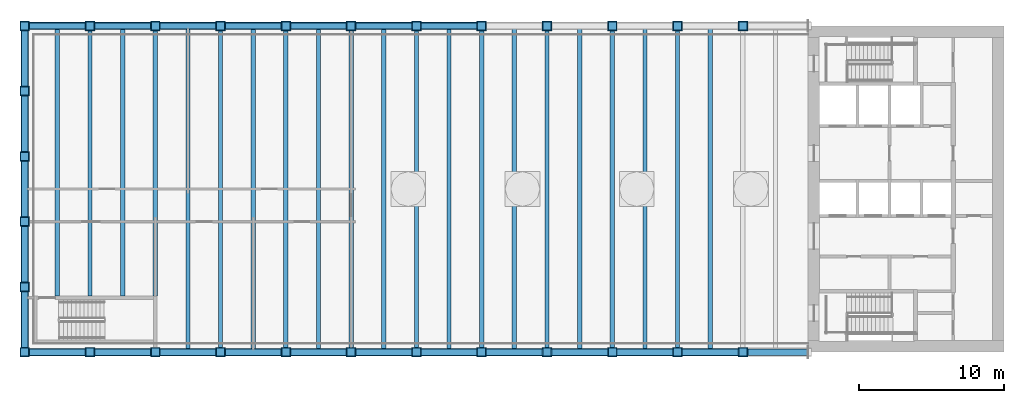
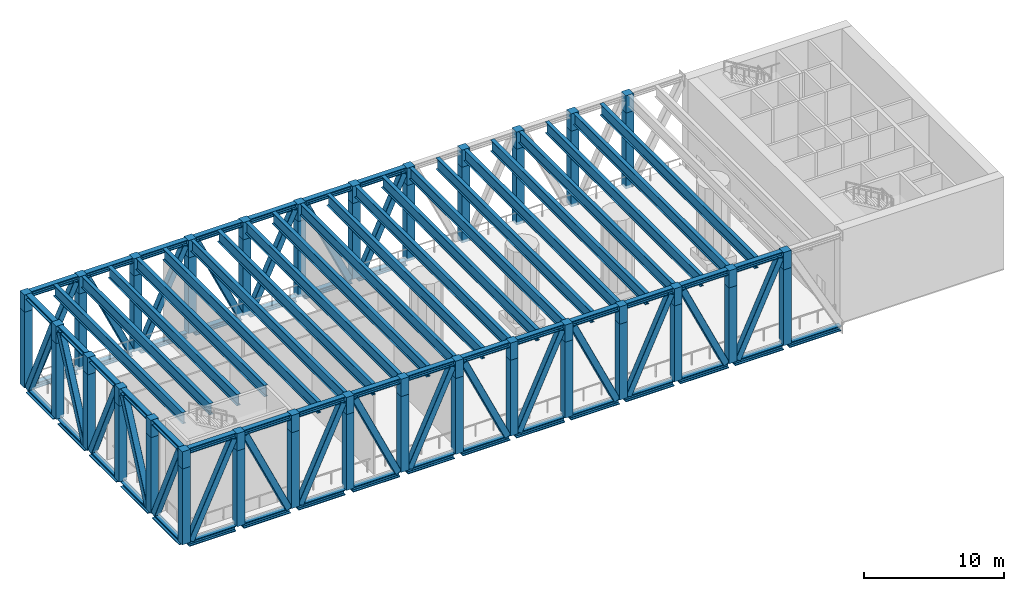
# One storey, part 1 of 11: 70 members, 56 columns, 21 beams.
"""IFC4 building model written with IfcOpenShell, lengths in metres."""

from ifc_helpers import new_model, si_unit, direction, frame, origin, origin_2d, place, context, subcontext, project, spatial, rectangle, hollow_rectangle, i_section, extrude, material, material_profile, profile_set, type_object, element, save


model = new_model("IFC4")

# Units and contexts
model_context = context("Model", 3, precision=1e-05, world=origin(), true_north=direction((0.0, 1.0)))
body_context = subcontext(model_context, "Body", "Model", "MODEL_VIEW")
ifc_project = project(units=[si_unit("LENGTHUNIT", "METRE"), si_unit("AREAUNIT", "SQUARE_METRE"), si_unit("VOLUMEUNIT", "CUBIC_METRE"), si_unit("PLANEANGLEUNIT", "RADIAN"), si_unit("MASSUNIT", "GRAM", prefix="KILO")], contexts=[model_context])

# Site, building, storey
site_placement = place(None, origin())
site = spatial("IfcSite", under=ifc_project, at=site_placement, CompositionType="ELEMENT")
building_placement = place(site_placement, origin())
building = spatial("IfcBuilding", under=site, at=building_placement, Name="Sennacour Bend Tower", CompositionType="ELEMENT")
storey_placement = place(building_placement, frame((0.0, 0.0, 297.0)))
storey = spatial("IfcBuildingStorey", under=building, at=storey_placement, Name="L69", CompositionType="ELEMENT", Elevation=297.0)

# Columns
ifc_material_1 = material(Name="Steel ASTM A572 Grade 50", Category="steel")
ifc_material_profile_1 = material_profile(ifc_material_1, hollow_rectangle(XDim=0.64990234375, YDim=0.64990234375, WallThickness=0.031982421875, at=origin_2d()), Name="Steel ASTM A572 Grade 50", Category="steel")
ifc_profile_set_1 = profile_set([ifc_material_profile_1], Name="Steel ASTM A572 Grade 50")
column_type_1 = type_object("IfcColumnType", Name="Box column 650", PredefinedType="COLUMN", material=ifc_profile_set_1)
for number, where, z_axis, x_axis, name in (
    (1, (0.0, 0.0, -0.25), (0.0, 0.0, 1.0), (1.0, 0.0, 0.0), "Perimeter column C5 L69-001"),
    (2, (0.0, 4.5, -0.25), (0.0, 0.0, 1.0), (1.0, 0.0, 0.0), "Perimeter column C5 L69-002"),
    (3, (0.0, 9.0, -0.25), (0.0, 0.0, 1.0), (1.0, 0.0, 0.0), "Perimeter column C5 L69-003"),
    (4, (0.0, 13.5, -0.25), (0.0, 0.0, 1.0), (1.0, 0.0, 0.0), "Perimeter column C5 L69-004"),
    (5, (0.0, 18.0, -0.25), (0.0, 0.0, 1.0), (1.0, 0.0, 0.0), "Perimeter column C5 L69-005"),
    (6, (0.0, 22.5, -0.25), (0.0, 0.0, 1.0), (1.0, 0.0, 0.0), "Perimeter column C5 L69-006"),
    (7, (4.5, 0.0, -0.25), (0.0, 0.0, 1.0), (1.0, 0.0, 0.0), "Perimeter column C5 L69-007"),
    (8, (4.5, 22.5, -0.25), (0.0, 0.0, 1.0), (1.0, 0.0, 0.0), "Perimeter column C5 L69-008"),
    (9, (9.0, 0.0, -0.25), (0.0, 0.0, 1.0), (1.0, 0.0, 0.0), "Perimeter column C5 L69-009"),
    (10, (9.0, 22.5, -0.25), (0.0, 0.0, 1.0), (1.0, 0.0, 0.0), "Perimeter column C5 L69-010"),
    (11, (13.5, 0.0, -0.25), (0.0, 0.0, 1.0), (1.0, 0.0, 0.0), "Perimeter column C5 L69-011"),
    (12, (13.5, 22.5, -0.25), (0.0, 0.0, 1.0), (1.0, 0.0, 0.0), "Perimeter column C5 L69-012"),
    (13, (18.0, 0.0, -0.25), (0.0, 0.0, 1.0), (1.0, 0.0, 0.0), "Perimeter column C5 L69-013"),
    (14, (18.0, 22.5, -0.25), (0.0, 0.0, 1.0), (1.0, 0.0, 0.0), "Perimeter column C5 L69-014"),
    (15, (22.5, 0.0, -0.25), (0.0, 0.0, 1.0), (1.0, 0.0, 0.0), "Perimeter column C5 L69-015"),
    (16, (22.5, 22.5, -0.25), (0.0, 0.0, 1.0), (1.0, 0.0, 0.0), "Perimeter column C5 L69-016"),
    (17, (27.0, 0.0, -0.25), (0.0, 0.0, 1.0), (1.0, 0.0, 0.0), "Perimeter column C5 L69-017"),
    (18, (27.0, 22.5, -0.25), (0.0, 0.0, 1.0), (1.0, 0.0, 0.0), "Perimeter column C5 L69-018"),
    (19, (31.5, 0.0, -0.25), (0.0, 0.0, 1.0), (1.0, 0.0, 0.0), "Perimeter column C5 L69-019"),
    (20, (31.5, 22.5, -0.25), (0.0, 0.0, 1.0), (1.0, 0.0, 0.0), "Perimeter column C5 L69-020"),
    (21, (36.0, 0.0, -0.25), (0.0, 0.0, 1.0), (1.0, 0.0, 0.0), "Perimeter column C5 L69-021"),
    (22, (36.0, 22.5, -0.25), (0.0, 0.0, 1.0), (1.0, 0.0, 0.0), "Perimeter column C5 L69-022"),
    (23, (40.5, 0.0, -0.25), (0.0, 0.0, 1.0), (1.0, 0.0, 0.0), "Perimeter column C5 L69-023"),
    (24, (40.5, 22.5, -0.25), (0.0, 0.0, 1.0), (1.0, 0.0, 0.0), "Perimeter column C5 L69-024"),
    (25, (45.0, 0.0, -0.25), (0.0, 0.0, 1.0), (1.0, 0.0, 0.0), "Perimeter column C5 L69-025"),
    (26, (45.0, 22.5, -0.25), (0.0, 0.0, 1.0), (1.0, 0.0, 0.0), "Perimeter column C5 L69-026"),
    (27, (49.5, 0.0, -0.25), (0.0, 0.0, 1.0), (1.0, 0.0, 0.0), "Perimeter column C5 L69-027"),
    (28, (49.5, 22.5, -0.25), (0.0, 0.0, 1.0), (1.0, 0.0, 0.0), "Perimeter column C5 L69-028"),
):
    element("IfcColumn", number, at=place(storey_placement, frame(where, z_axis=z_axis, x_axis=x_axis)), inside=storey, type_object=column_type_1, Name=name, PredefinedType="COLUMN", context=body_context, shape_type="SweptSolid", body=[
        extrude(hollow_rectangle(XDim=0.64990234375, YDim=0.64990234375, WallThickness=0.031982421875, at=origin_2d()), origin(), (0.0, 0.0, 1.0), 6.60009765625),
    ])
ifc_material_profile_2 = material_profile(ifc_material_1, rectangle(XDim=0.64990234375, YDim=0.64990234375, at=origin_2d()), Name="Steel ASTM A572 Grade 50", Category="steel")
ifc_profile_set_2 = profile_set([ifc_material_profile_2], Name="Steel ASTM A572 Grade 50")
column_type_2 = type_object("IfcColumnType", Name="Column head block 650", PredefinedType="COLUMN", material=ifc_profile_set_2)
for number, where, z_axis, x_axis, name in (
    (29, (0.0, 0.0, 6.35009765625), (0.0, 0.0, 1.0), (1.0, 0.0, 0.0), "Column head block L69-001"),
    (30, (0.0, 4.5, 6.35009765625), (0.0, 0.0, 1.0), (1.0, 0.0, 0.0), "Column head block L69-002"),
    (31, (0.0, 9.0, 6.35009765625), (0.0, 0.0, 1.0), (1.0, 0.0, 0.0), "Column head block L69-003"),
    (32, (0.0, 13.5, 6.35009765625), (0.0, 0.0, 1.0), (1.0, 0.0, 0.0), "Column head block L69-004"),
    (33, (0.0, 18.0, 6.35009765625), (0.0, 0.0, 1.0), (1.0, 0.0, 0.0), "Column head block L69-005"),
    (34, (0.0, 22.5, 6.35009765625), (0.0, 0.0, 1.0), (1.0, 0.0, 0.0), "Column head block L69-006"),
    (35, (4.5, 0.0, 6.35009765625), (0.0, 0.0, 1.0), (1.0, 0.0, 0.0), "Column head block L69-007"),
    (36, (4.5, 22.5, 6.35009765625), (0.0, 0.0, 1.0), (1.0, 0.0, 0.0), "Column head block L69-008"),
    (37, (9.0, 0.0, 6.35009765625), (0.0, 0.0, 1.0), (1.0, 0.0, 0.0), "Column head block L69-009"),
    (38, (9.0, 22.5, 6.35009765625), (0.0, 0.0, 1.0), (1.0, 0.0, 0.0), "Column head block L69-010"),
    (39, (13.5, 0.0, 6.35009765625), (0.0, 0.0, 1.0), (1.0, 0.0, 0.0), "Column head block L69-011"),
    (40, (13.5, 22.5, 6.35009765625), (0.0, 0.0, 1.0), (1.0, 0.0, 0.0), "Column head block L69-012"),
    (41, (18.0, 0.0, 6.35009765625), (0.0, 0.0, 1.0), (1.0, 0.0, 0.0), "Column head block L69-013"),
    (42, (18.0, 22.5, 6.35009765625), (0.0, 0.0, 1.0), (1.0, 0.0, 0.0), "Column head block L69-014"),
    (43, (22.5, 0.0, 6.35009765625), (0.0, 0.0, 1.0), (1.0, 0.0, 0.0), "Column head block L69-015"),
    (44, (22.5, 22.5, 6.35009765625), (0.0, 0.0, 1.0), (1.0, 0.0, 0.0), "Column head block L69-016"),
    (45, (27.0, 0.0, 6.35009765625), (0.0, 0.0, 1.0), (1.0, 0.0, 0.0), "Column head block L69-017"),
    (46, (27.0, 22.5, 6.35009765625), (0.0, 0.0, 1.0), (1.0, 0.0, 0.0), "Column head block L69-018"),
    (47, (31.5, 0.0, 6.35009765625), (0.0, 0.0, 1.0), (1.0, 0.0, 0.0), "Column head block L69-019"),
    (48, (31.5, 22.5, 6.35009765625), (0.0, 0.0, 1.0), (1.0, 0.0, 0.0), "Column head block L69-020"),
    (49, (36.0, 0.0, 6.35009765625), (0.0, 0.0, 1.0), (1.0, 0.0, 0.0), "Column head block L69-021"),
    (50, (36.0, 22.5, 6.35009765625), (0.0, 0.0, 1.0), (1.0, 0.0, 0.0), "Column head block L69-022"),
    (51, (40.5, 0.0, 6.35009765625), (0.0, 0.0, 1.0), (1.0, 0.0, 0.0), "Column head block L69-023"),
    (52, (40.5, 22.5, 6.35009765625), (0.0, 0.0, 1.0), (1.0, 0.0, 0.0), "Column head block L69-024"),
    (53, (45.0, 0.0, 6.35009765625), (0.0, 0.0, 1.0), (1.0, 0.0, 0.0), "Column head block L69-025"),
    (54, (45.0, 22.5, 6.35009765625), (0.0, 0.0, 1.0), (1.0, 0.0, 0.0), "Column head block L69-026"),
    (55, (49.5, 0.0, 6.35009765625), (0.0, 0.0, 1.0), (1.0, 0.0, 0.0), "Column head block L69-027"),
    (56, (49.5, 22.5, 6.35009765625), (0.0, 0.0, 1.0), (1.0, 0.0, 0.0), "Column head block L69-028"),
):
    element("IfcColumn", number, at=place(storey_placement, frame(where, z_axis=z_axis, x_axis=x_axis)), inside=storey, type_object=column_type_2, Name=name, PredefinedType="COLUMN", context=body_context, shape_type="SweptSolid", body=[
        extrude(rectangle(XDim=0.64990234375, YDim=0.64990234375, at=origin_2d()), origin(), (0.0, 0.0, 1.0), 1.5),
    ])

# Members
ifc_material_2 = material(Name="Steel ASTM A992 Grade 50", Category="steel")
ifc_material_profile_3 = material_profile(ifc_material_2, i_section(OverallWidth=0.4189453125, OverallDepth=0.455078125, WebThickness=0.042236328125, FlangeThickness=0.067626953125, FilletRadius=0.01513671875, at=origin_2d()), Name="Steel ASTM A992 Grade 50", Category="steel")
ifc_profile_set_3 = profile_set([ifc_material_profile_3], Name="Steel ASTM A992 Grade 50")
member_type_1 = type_object("IfcMemberType", Name="Belt truss chord W360X551", PredefinedType="CHORD", material=ifc_profile_set_3)
for number, where, z_axis, x_axis, name in (
    (57, (0.0, 0.324951171875, -0.4775390625), (0.0, 1.0, 0.0), (-1.0, 0.0, 0.0), "Belt truss chord BC L69-001"),
    (58, (0.0, 4.824951171875, -0.4775390625), (0.0, 1.0, 0.0), (-1.0, 0.0, 0.0), "Belt truss chord BC L69-002"),
    (59, (0.0, 9.324951171875, -0.4775390625), (0.0, 1.0, 0.0), (-1.0, 0.0, 0.0), "Belt truss chord BC L69-003"),
    (60, (0.0, 13.824951171875, -0.4775390625), (0.0, 1.0, 0.0), (-1.0, 0.0, 0.0), "Belt truss chord BC L69-004"),
    (61, (0.0, 18.324951171875, -0.4775390625), (0.0, 1.0, 0.0), (-1.0, 0.0, 0.0), "Belt truss chord BC L69-005"),
    (62, (0.324951171875, 22.5, -0.4775390625), (1.0, 0.0, 0.0), (0.0, 1.0, 0.0), "Belt truss chord BC L69-006"),
    (63, (4.824951171875, 22.5, -0.4775390625), (1.0, 0.0, 0.0), (0.0, 1.0, 0.0), "Belt truss chord BC L69-007"),
    (64, (9.324951171875, 22.5, -0.4775390625), (1.0, 0.0, 0.0), (0.0, 1.0, 0.0), "Belt truss chord BC L69-008"),
    (65, (13.824951171875, 22.5, -0.4775390625), (1.0, 0.0, 0.0), (0.0, 1.0, 0.0), "Belt truss chord BC L69-009"),
    (66, (18.324951171875, 22.5, -0.4775390625), (1.0, 0.0, 0.0), (0.0, 1.0, 0.0), "Belt truss chord BC L69-010"),
):
    element("IfcMember", number, at=place(storey_placement, frame(where, z_axis=z_axis, x_axis=x_axis)), inside=storey, type_object=member_type_1, Name=name, PredefinedType="CHORD", context=body_context, shape_type="SweptSolid", body=[
        extrude(i_section(OverallWidth=0.4189453125, OverallDepth=0.455078125, WebThickness=0.042236328125, FlangeThickness=0.067626953125, FilletRadius=0.01513671875, at=origin_2d()), origin(), (0.0, 0.0, 1.0), 3.85009765625),
    ])
member_1_placement = place(storey_placement, frame((22.824951171875, 22.5, -0.4775390625), z_axis=(1.0, 0.0, 0.0), x_axis=(0.0, 1.0, 0.0)))
element("IfcMember", 67, at=member_1_placement, inside=storey, type_object=member_type_1, Name="Belt truss chord BC L69-011", PredefinedType="CHORD", context=body_context, shape_type="SweptSolid", body=[
    extrude(i_section(OverallWidth=0.4189453125, OverallDepth=0.455078125, WebThickness=0.042236328125, FlangeThickness=0.067626953125, FilletRadius=0.01513671875, at=origin_2d()), origin(), (0.0, 0.0, 1.0), 3.925048828125),
])
member_2_placement = place(storey_placement, frame((27.25, 22.5, -0.4775390625), z_axis=(1.0, 0.0, 0.0), x_axis=(0.0, 1.0, 0.0)))
element("IfcMember", 68, at=member_2_placement, inside=storey, type_object=member_type_1, Name="Belt truss chord BC L69-012", PredefinedType="CHORD", context=body_context, shape_type="SweptSolid", body=[
    extrude(i_section(OverallWidth=0.4189453125, OverallDepth=0.455078125, WebThickness=0.042236328125, FlangeThickness=0.067626953125, FilletRadius=0.01513671875, at=origin_2d()), origin(), (0.0, 0.0, 1.0), 4.0),
])
member_3_placement = place(storey_placement, frame((54.0, 0.0, -0.4775390625), z_axis=(-1.0, 0.0, 0.0), x_axis=(0.0, -1.0, 0.0)))
element("IfcMember", 69, at=member_3_placement, inside=storey, type_object=member_type_1, Name="Belt truss chord BC L69-018", PredefinedType="CHORD", context=body_context, shape_type="SweptSolid", body=[
    extrude(i_section(OverallWidth=0.4189453125, OverallDepth=0.455078125, WebThickness=0.042236328125, FlangeThickness=0.067626953125, FilletRadius=0.01513671875, at=origin_2d()), origin(), (0.0, 0.0, 1.0), 4.25),
])
for number, where, z_axis, x_axis, name in (
    (70, (49.25, 0.0, -0.4775390625), (-1.0, 0.0, 0.0), (0.0, -1.0, 0.0), "Belt truss chord BC L69-019"),
    (71, (44.75, 0.0, -0.4775390625), (-1.0, 0.0, 0.0), (0.0, -1.0, 0.0), "Belt truss chord BC L69-020"),
    (72, (40.25, 0.0, -0.4775390625), (-1.0, 0.0, 0.0), (0.0, -1.0, 0.0), "Belt truss chord BC L69-021"),
    (73, (35.75, 0.0, -0.4775390625), (-1.0, 0.0, 0.0), (0.0, -1.0, 0.0), "Belt truss chord BC L69-022"),
    (74, (31.25, 0.0, -0.4775390625), (-1.0, 0.0, 0.0), (0.0, -1.0, 0.0), "Belt truss chord BC L69-023"),
):
    element("IfcMember", number, at=place(storey_placement, frame(where, z_axis=z_axis, x_axis=x_axis)), inside=storey, type_object=member_type_1, Name=name, PredefinedType="CHORD", context=body_context, shape_type="SweptSolid", body=[
        extrude(i_section(OverallWidth=0.4189453125, OverallDepth=0.455078125, WebThickness=0.042236328125, FlangeThickness=0.067626953125, FilletRadius=0.01513671875, at=origin_2d()), origin(), (0.0, 0.0, 1.0), 4.0),
    ])
member_4_placement = place(storey_placement, frame((26.75, 0.0, -0.4775390625), z_axis=(-1.0, 0.0, 0.0), x_axis=(0.0, -1.0, 0.0)))
element("IfcMember", 75, at=member_4_placement, inside=storey, type_object=member_type_1, Name="Belt truss chord BC L69-024", PredefinedType="CHORD", context=body_context, shape_type="SweptSolid", body=[
    extrude(i_section(OverallWidth=0.4189453125, OverallDepth=0.455078125, WebThickness=0.042236328125, FlangeThickness=0.067626953125, FilletRadius=0.01513671875, at=origin_2d()), origin(), (0.0, 0.0, 1.0), 3.925048828125),
])
for number, where, z_axis, x_axis, name in (
    (76, (22.175048828125, 0.0, -0.4775390625), (-1.0, 0.0, 0.0), (0.0, -1.0, 0.0), "Belt truss chord BC L69-025"),
    (77, (17.675048828125, 0.0, -0.4775390625), (-1.0, 0.0, 0.0), (0.0, -1.0, 0.0), "Belt truss chord BC L69-026"),
    (78, (13.175048828125, 0.0, -0.4775390625), (-1.0, 0.0, 0.0), (0.0, -1.0, 0.0), "Belt truss chord BC L69-027"),
    (79, (8.675048828125, 0.0, -0.4775390625), (-1.0, 0.0, 0.0), (0.0, -1.0, 0.0), "Belt truss chord BC L69-028"),
    (80, (4.175048828125, 0.0, -0.4775390625), (-1.0, 0.0, 0.0), (0.0, -1.0, 0.0), "Belt truss chord BC L69-029"),
    (81, (0.0, 0.324951171875, 7.62255859375), (0.0, 1.0, 0.0), (-1.0, 0.0, 0.0), "Belt truss chord BC L69-001"),
    (82, (0.0, 4.824951171875, 7.62255859375), (0.0, 1.0, 0.0), (-1.0, 0.0, 0.0), "Belt truss chord BC L69-002"),
    (83, (0.0, 9.324951171875, 7.62255859375), (0.0, 1.0, 0.0), (-1.0, 0.0, 0.0), "Belt truss chord BC L69-003"),
    (84, (0.0, 13.824951171875, 7.62255859375), (0.0, 1.0, 0.0), (-1.0, 0.0, 0.0), "Belt truss chord BC L69-004"),
    (85, (0.0, 18.324951171875, 7.62255859375), (0.0, 1.0, 0.0), (-1.0, 0.0, 0.0), "Belt truss chord BC L69-005"),
    (86, (0.324951171875, 22.5, 7.62255859375), (1.0, 0.0, 0.0), (0.0, 1.0, 0.0), "Belt truss chord BC L69-006"),
    (87, (4.824951171875, 22.5, 7.62255859375), (1.0, 0.0, 0.0), (0.0, 1.0, 0.0), "Belt truss chord BC L69-007"),
    (88, (9.324951171875, 22.5, 7.62255859375), (1.0, 0.0, 0.0), (0.0, 1.0, 0.0), "Belt truss chord BC L69-008"),
    (89, (13.824951171875, 22.5, 7.62255859375), (1.0, 0.0, 0.0), (0.0, 1.0, 0.0), "Belt truss chord BC L69-009"),
    (90, (18.324951171875, 22.5, 7.62255859375), (1.0, 0.0, 0.0), (0.0, 1.0, 0.0), "Belt truss chord BC L69-010"),
    (91, (22.824951171875, 22.5, 7.62255859375), (1.0, 0.0, 0.0), (0.0, 1.0, 0.0), "Belt truss chord BC L69-011"),
    (92, (27.324951171875, 22.5, 7.62255859375), (1.0, 0.0, 0.0), (0.0, 1.0, 0.0), "Belt truss chord BC L69-012"),
    (93, (49.175048828125, 0.0, 7.62255859375), (-1.0, 0.0, 0.0), (0.0, -1.0, 0.0), "Belt truss chord BC L69-019"),
    (94, (44.675048828125, 0.0, 7.62255859375), (-1.0, 0.0, 0.0), (0.0, -1.0, 0.0), "Belt truss chord BC L69-020"),
    (95, (40.175048828125, 0.0, 7.62255859375), (-1.0, 0.0, 0.0), (0.0, -1.0, 0.0), "Belt truss chord BC L69-021"),
    (96, (35.675048828125, 0.0, 7.62255859375), (-1.0, 0.0, 0.0), (0.0, -1.0, 0.0), "Belt truss chord BC L69-022"),
    (97, (31.175048828125, 0.0, 7.62255859375), (-1.0, 0.0, 0.0), (0.0, -1.0, 0.0), "Belt truss chord BC L69-023"),
    (98, (26.675048828125, 0.0, 7.62255859375), (-1.0, 0.0, 0.0), (0.0, -1.0, 0.0), "Belt truss chord BC L69-024"),
    (99, (22.175048828125, 0.0, 7.62255859375), (-1.0, 0.0, 0.0), (0.0, -1.0, 0.0), "Belt truss chord BC L69-025"),
    (100, (17.675048828125, 0.0, 7.62255859375), (-1.0, 0.0, 0.0), (0.0, -1.0, 0.0), "Belt truss chord BC L69-026"),
    (101, (13.175048828125, 0.0, 7.62255859375), (-1.0, 0.0, 0.0), (0.0, -1.0, 0.0), "Belt truss chord BC L69-027"),
    (102, (8.675048828125, 0.0, 7.62255859375), (-1.0, 0.0, 0.0), (0.0, -1.0, 0.0), "Belt truss chord BC L69-028"),
    (103, (4.175048828125, 0.0, 7.62255859375), (-1.0, 0.0, 0.0), (0.0, -1.0, 0.0), "Belt truss chord BC L69-029"),
):
    element("IfcMember", number, at=place(storey_placement, frame(where, z_axis=z_axis, x_axis=x_axis)), inside=storey, type_object=member_type_1, Name=name, PredefinedType="CHORD", context=body_context, shape_type="SweptSolid", body=[
        extrude(i_section(OverallWidth=0.4189453125, OverallDepth=0.455078125, WebThickness=0.042236328125, FlangeThickness=0.067626953125, FilletRadius=0.01513671875, at=origin_2d()), origin(), (0.0, 0.0, 1.0), 3.85009765625),
    ])
ifc_material_3 = material(Name="Steel ASTM A500 Grade C", Category="steel")
ifc_material_profile_4 = material_profile(ifc_material_3, hollow_rectangle(XDim=0.508056640625, YDim=0.508056640625, WallThickness=0.01904296875, InnerFilletRadius=0.01904296875, OuterFilletRadius=0.0380859375, at=origin_2d()), Name="Steel ASTM A500 Grade C", Category="steel")
ifc_profile_set_4 = profile_set([ifc_material_profile_4], Name="Steel ASTM A500 Grade C")
member_type_2 = type_object("IfcMemberType", Name="Belt truss diagonal 508", PredefinedType="BRACE", material=ifc_profile_set_4)
for number, where, z_axis, x_axis, name in (
    (104, (0.0, 0.47509765625, 7.39501953125), (0.0, 0.421143644292, -0.906993953052), (-1.0, 0.0, 0.0), "Belt truss diagonal BD L69-001"),
    (105, (0.0, 4.97509765625, -0.25), (0.0, 0.421143644292, 0.906993953052), (-1.0, 0.0, 0.0), "Belt truss diagonal BD L69-002"),
    (106, (0.0, 9.47509765625, 7.39501953125), (0.0, 0.421143644292, -0.906993953052), (-1.0, 0.0, 0.0), "Belt truss diagonal BD L69-003"),
    (107, (0.0, 13.97509765625, -0.25), (0.0, 0.421143644292, 0.906993953052), (-1.0, 0.0, 0.0), "Belt truss diagonal BD L69-004"),
    (108, (0.0, 18.47509765625, 7.39501953125), (0.0, 0.421143644292, -0.906993953052), (-1.0, 0.0, 0.0), "Belt truss diagonal BD L69-005"),
    (109, (0.47509765625, 22.5, -0.25), (0.421143644292, 0.0, 0.906993953052), (0.0, 1.0, 0.0), "Belt truss diagonal BD L69-006"),
    (110, (4.97509765625, 22.5, 7.39501953125), (0.421143644292, 0.0, -0.906993953052), (0.0, 1.0, 0.0), "Belt truss diagonal BD L69-007"),
    (111, (9.47509765625, 22.5, -0.25), (0.421143644292, 0.0, 0.906993953052), (0.0, 1.0, 0.0), "Belt truss diagonal BD L69-008"),
    (112, (13.97509765625, 22.5, 7.39501953125), (0.421143644292, 0.0, -0.906993953052), (0.0, 1.0, 0.0), "Belt truss diagonal BD L69-009"),
    (113, (18.47509765625, 22.5, -0.25), (0.421143644292, 0.0, 0.906993953052), (0.0, 1.0, 0.0), "Belt truss diagonal BD L69-010"),
    (114, (22.97509765625, 22.5, 7.39501953125), (0.421143644292, 0.0, -0.906993953052), (0.0, 1.0, 0.0), "Belt truss diagonal BD L69-011"),
    (115, (27.47509765625, 22.5, -0.25), (0.421143644292, 0.0, 0.906993953052), (0.0, 1.0, 0.0), "Belt truss diagonal BD L69-012"),
    (116, (49.02490234375, 0.0, 7.39501953125), (-0.421143644292, 0.0, -0.906993953052), (0.0, -1.0, 0.0), "Belt truss diagonal BD L69-017"),
    (117, (44.52490234375, 0.0, -0.25), (-0.421143644292, 0.0, 0.906993953052), (0.0, -1.0, 0.0), "Belt truss diagonal BD L69-018"),
    (118, (40.02490234375, 0.0, 7.39501953125), (-0.421143644292, 0.0, -0.906993953052), (0.0, -1.0, 0.0), "Belt truss diagonal BD L69-019"),
    (119, (35.52490234375, 0.0, -0.25), (-0.421143644292, 0.0, 0.906993953052), (0.0, -1.0, 0.0), "Belt truss diagonal BD L69-020"),
    (120, (31.02490234375, 0.0, 7.39501953125), (-0.421143644292, 0.0, -0.906993953052), (0.0, -1.0, 0.0), "Belt truss diagonal BD L69-021"),
    (121, (26.52490234375, 0.0, -0.25), (-0.421143644292, 0.0, 0.906993953052), (0.0, -1.0, 0.0), "Belt truss diagonal BD L69-022"),
    (122, (22.02490234375, 0.0, 7.39501953125), (-0.421143644292, 0.0, -0.906993953052), (0.0, -1.0, 0.0), "Belt truss diagonal BD L69-023"),
    (123, (17.52490234375, 0.0, -0.25), (-0.421143644292, 0.0, 0.906993953052), (0.0, -1.0, 0.0), "Belt truss diagonal BD L69-024"),
    (124, (13.02490234375, 0.0, 7.39501953125), (-0.421143644292, 0.0, -0.906993953052), (0.0, -1.0, 0.0), "Belt truss diagonal BD L69-025"),
    (125, (8.52490234375, 0.0, -0.25), (-0.421143644292, 0.0, 0.906993953052), (0.0, -1.0, 0.0), "Belt truss diagonal BD L69-026"),
    (126, (4.02490234375, 0.0, 7.39501953125), (-0.421143644292, 0.0, -0.906993953052), (0.0, -1.0, 0.0), "Belt truss diagonal BD L69-027"),
):
    element("IfcMember", number, at=place(storey_placement, frame(where, z_axis=z_axis, x_axis=x_axis)), inside=storey, type_object=member_type_2, Name=name, PredefinedType="BRACE", context=body_context, shape_type="SweptSolid", body=[
        extrude(hollow_rectangle(XDim=0.508056640625, YDim=0.508056640625, WallThickness=0.01904296875, InnerFilletRadius=0.01904296875, OuterFilletRadius=0.0380859375, at=origin_2d()), origin(), (0.0, 0.0, 1.0), 8.428955078125),
    ])

# Beams
ifc_material_profile_5 = material_profile(ifc_material_2, i_section(OverallWidth=0.300048828125, OverallDepth=0.990966796875, WebThickness=0.0166015625, FlangeThickness=0.030517578125, FilletRadius=0.030029296875, at=origin_2d()), Name="Steel ASTM A992 Grade 50", Category="steel")
ifc_profile_set_5 = profile_set([ifc_material_profile_5], Name="Steel ASTM A992 Grade 50")
beam_type = type_object("IfcBeamType", Name="Floor beam W1000X272", PredefinedType="BEAM", material=ifc_profile_set_5)
beam_1_placement = place(storey_placement, frame((2.25, 3.875, 7.3544921875), z_axis=(0.0, 1.0, 0.0), x_axis=(-1.0, 0.0, 0.0)))
element("IfcBeam", 127, at=beam_1_placement, inside=storey, type_object=beam_type, Name="Floor beam FBM3 L70-001", PredefinedType="BEAM", context=body_context, shape_type="SweptSolid", body=[
    extrude(i_section(OverallWidth=0.300048828125, OverallDepth=0.990966796875, WebThickness=0.0166015625, FlangeThickness=0.030517578125, FilletRadius=0.030029296875, at=origin_2d()), origin(), (0.0, 0.0, 1.0), 18.41552734375),
])
beam_2_placement = place(storey_placement, frame((4.5, 3.875, 7.3544921875), z_axis=(0.0, 1.0, 0.0), x_axis=(-1.0, 0.0, 0.0)))
element("IfcBeam", 128, at=beam_2_placement, inside=storey, type_object=beam_type, Name="Floor beam FBM3 L70-002", PredefinedType="BEAM", context=body_context, shape_type="SweptSolid", body=[
    extrude(i_section(OverallWidth=0.300048828125, OverallDepth=0.990966796875, WebThickness=0.0166015625, FlangeThickness=0.030517578125, FilletRadius=0.030029296875, at=origin_2d()), origin(), (0.0, 0.0, 1.0), 18.300048828125),
])
beam_3_placement = place(storey_placement, frame((6.75, 3.875, 7.3544921875), z_axis=(0.0, 1.0, 0.0), x_axis=(-1.0, 0.0, 0.0)))
element("IfcBeam", 129, at=beam_3_placement, inside=storey, type_object=beam_type, Name="Floor beam FBM3 L70-003", PredefinedType="BEAM", context=body_context, shape_type="SweptSolid", body=[
    extrude(i_section(OverallWidth=0.300048828125, OverallDepth=0.990966796875, WebThickness=0.0166015625, FlangeThickness=0.030517578125, FilletRadius=0.030029296875, at=origin_2d()), origin(), (0.0, 0.0, 1.0), 18.41552734375),
])
beam_4_placement = place(storey_placement, frame((9.0, 3.875, 7.3544921875), z_axis=(0.0, 1.0, 0.0), x_axis=(-1.0, 0.0, 0.0)))
element("IfcBeam", 130, at=beam_4_placement, inside=storey, type_object=beam_type, Name="Floor beam FBM3 L70-004", PredefinedType="BEAM", context=body_context, shape_type="SweptSolid", body=[
    extrude(i_section(OverallWidth=0.300048828125, OverallDepth=0.990966796875, WebThickness=0.0166015625, FlangeThickness=0.030517578125, FilletRadius=0.030029296875, at=origin_2d()), origin(), (0.0, 0.0, 1.0), 18.300048828125),
])
beam_5_placement = place(storey_placement, frame((11.25, 0.20947265625, 7.3544921875), z_axis=(0.0, 1.0, 0.0), x_axis=(-1.0, 0.0, 0.0)))
element("IfcBeam", 131, at=beam_5_placement, inside=storey, type_object=beam_type, Name="Floor beam FBM3 L70-005", PredefinedType="BEAM", context=body_context, shape_type="SweptSolid", body=[
    extrude(i_section(OverallWidth=0.300048828125, OverallDepth=0.990966796875, WebThickness=0.0166015625, FlangeThickness=0.030517578125, FilletRadius=0.030029296875, at=origin_2d()), origin(), (0.0, 0.0, 1.0), 22.0810546875),
])
beam_6_placement = place(storey_placement, frame((13.5, 0.324951171875, 7.3544921875), z_axis=(0.0, 1.0, 0.0), x_axis=(-1.0, 0.0, 0.0)))
element("IfcBeam", 132, at=beam_6_placement, inside=storey, type_object=beam_type, Name="Floor beam FBM3 L70-006", PredefinedType="BEAM", context=body_context, shape_type="SweptSolid", body=[
    extrude(i_section(OverallWidth=0.300048828125, OverallDepth=0.990966796875, WebThickness=0.0166015625, FlangeThickness=0.030517578125, FilletRadius=0.030029296875, at=origin_2d()), origin(), (0.0, 0.0, 1.0), 21.85009765625),
])
beam_7_placement = place(storey_placement, frame((15.75, 0.20947265625, 7.3544921875), z_axis=(0.0, 1.0, 0.0), x_axis=(-1.0, 0.0, 0.0)))
element("IfcBeam", 133, at=beam_7_placement, inside=storey, type_object=beam_type, Name="Floor beam FBM3 L70-007", PredefinedType="BEAM", context=body_context, shape_type="SweptSolid", body=[
    extrude(i_section(OverallWidth=0.300048828125, OverallDepth=0.990966796875, WebThickness=0.0166015625, FlangeThickness=0.030517578125, FilletRadius=0.030029296875, at=origin_2d()), origin(), (0.0, 0.0, 1.0), 22.0810546875),
])
beam_8_placement = place(storey_placement, frame((18.0, 0.324951171875, 7.3544921875), z_axis=(0.0, 1.0, 0.0), x_axis=(-1.0, 0.0, 0.0)))
element("IfcBeam", 134, at=beam_8_placement, inside=storey, type_object=beam_type, Name="Floor beam FBM3 L70-008", PredefinedType="BEAM", context=body_context, shape_type="SweptSolid", body=[
    extrude(i_section(OverallWidth=0.300048828125, OverallDepth=0.990966796875, WebThickness=0.0166015625, FlangeThickness=0.030517578125, FilletRadius=0.030029296875, at=origin_2d()), origin(), (0.0, 0.0, 1.0), 21.85009765625),
])
beam_9_placement = place(storey_placement, frame((20.25, 0.20947265625, 7.3544921875), z_axis=(0.0, 1.0, 0.0), x_axis=(-1.0, 0.0, 0.0)))
element("IfcBeam", 135, at=beam_9_placement, inside=storey, type_object=beam_type, Name="Floor beam FBM3 L70-009", PredefinedType="BEAM", context=body_context, shape_type="SweptSolid", body=[
    extrude(i_section(OverallWidth=0.300048828125, OverallDepth=0.990966796875, WebThickness=0.0166015625, FlangeThickness=0.030517578125, FilletRadius=0.030029296875, at=origin_2d()), origin(), (0.0, 0.0, 1.0), 22.0810546875),
])
beam_10_placement = place(storey_placement, frame((22.5, 0.324951171875, 7.3544921875), z_axis=(0.0, 1.0, 0.0), x_axis=(-1.0, 0.0, 0.0)))
element("IfcBeam", 136, at=beam_10_placement, inside=storey, type_object=beam_type, Name="Floor beam FBM3 L70-010", PredefinedType="BEAM", context=body_context, shape_type="SweptSolid", body=[
    extrude(i_section(OverallWidth=0.300048828125, OverallDepth=0.990966796875, WebThickness=0.0166015625, FlangeThickness=0.030517578125, FilletRadius=0.030029296875, at=origin_2d()), origin(), (0.0, 0.0, 1.0), 21.85009765625),
])
beam_11_placement = place(storey_placement, frame((24.75, 0.20947265625, 7.3544921875), z_axis=(0.0, 1.0, 0.0), x_axis=(-1.0, 0.0, 0.0)))
element("IfcBeam", 137, at=beam_11_placement, inside=storey, type_object=beam_type, Name="Floor beam FBM3 L70-011", PredefinedType="BEAM", context=body_context, shape_type="SweptSolid", body=[
    extrude(i_section(OverallWidth=0.300048828125, OverallDepth=0.990966796875, WebThickness=0.0166015625, FlangeThickness=0.030517578125, FilletRadius=0.030029296875, at=origin_2d()), origin(), (0.0, 0.0, 1.0), 22.0810546875),
])
beam_12_placement = place(storey_placement, frame((27.0, 0.324951171875, 7.3544921875), z_axis=(0.0, 1.0, 0.0), x_axis=(-1.0, 0.0, 0.0)))
element("IfcBeam", 138, at=beam_12_placement, inside=storey, type_object=beam_type, Name="Floor beam FBM3 L70-012", PredefinedType="BEAM", context=body_context, shape_type="SweptSolid", body=[
    extrude(i_section(OverallWidth=0.300048828125, OverallDepth=0.990966796875, WebThickness=0.0166015625, FlangeThickness=0.030517578125, FilletRadius=0.030029296875, at=origin_2d()), origin(), (0.0, 0.0, 1.0), 21.85009765625),
])
beam_13_placement = place(storey_placement, frame((29.25, 0.20947265625, 7.3544921875), z_axis=(0.0, 1.0, 0.0), x_axis=(-1.0, 0.0, 0.0)))
element("IfcBeam", 139, at=beam_13_placement, inside=storey, type_object=beam_type, Name="Floor beam FBM3 L70-013", PredefinedType="BEAM", context=body_context, shape_type="SweptSolid", body=[
    extrude(i_section(OverallWidth=0.300048828125, OverallDepth=0.990966796875, WebThickness=0.0166015625, FlangeThickness=0.030517578125, FilletRadius=0.030029296875, at=origin_2d()), origin(), (0.0, 0.0, 1.0), 22.0810546875),
])
beam_14_placement = place(storey_placement, frame((31.5, 0.324951171875, 7.3544921875), z_axis=(0.0, 1.0, 0.0), x_axis=(-1.0, 0.0, 0.0)))
element("IfcBeam", 140, at=beam_14_placement, inside=storey, type_object=beam_type, Name="Floor beam FBM3 L70-014", PredefinedType="BEAM", context=body_context, shape_type="SweptSolid", body=[
    extrude(i_section(OverallWidth=0.300048828125, OverallDepth=0.990966796875, WebThickness=0.0166015625, FlangeThickness=0.030517578125, FilletRadius=0.030029296875, at=origin_2d()), origin(), (0.0, 0.0, 1.0), 21.85009765625),
])
beam_15_placement = place(storey_placement, frame((33.75, 0.20947265625, 7.3544921875), z_axis=(0.0, 1.0, 0.0), x_axis=(-1.0, 0.0, 0.0)))
element("IfcBeam", 141, at=beam_15_placement, inside=storey, type_object=beam_type, Name="Floor beam FBM3 L70-015", PredefinedType="BEAM", context=body_context, shape_type="SweptSolid", body=[
    extrude(i_section(OverallWidth=0.300048828125, OverallDepth=0.990966796875, WebThickness=0.0166015625, FlangeThickness=0.030517578125, FilletRadius=0.030029296875, at=origin_2d()), origin(), (0.0, 0.0, 1.0), 22.0810546875),
])
beam_16_placement = place(storey_placement, frame((36.0, 0.324951171875, 7.3544921875), z_axis=(0.0, 1.0, 0.0), x_axis=(-1.0, 0.0, 0.0)))
element("IfcBeam", 142, at=beam_16_placement, inside=storey, type_object=beam_type, Name="Floor beam FBM3 L70-016", PredefinedType="BEAM", context=body_context, shape_type="SweptSolid", body=[
    extrude(i_section(OverallWidth=0.300048828125, OverallDepth=0.990966796875, WebThickness=0.0166015625, FlangeThickness=0.030517578125, FilletRadius=0.030029296875, at=origin_2d()), origin(), (0.0, 0.0, 1.0), 21.85009765625),
])
beam_17_placement = place(storey_placement, frame((38.25, 0.20947265625, 7.3544921875), z_axis=(0.0, 1.0, 0.0), x_axis=(-1.0, 0.0, 0.0)))
element("IfcBeam", 143, at=beam_17_placement, inside=storey, type_object=beam_type, Name="Floor beam FBM3 L70-017", PredefinedType="BEAM", context=body_context, shape_type="SweptSolid", body=[
    extrude(i_section(OverallWidth=0.300048828125, OverallDepth=0.990966796875, WebThickness=0.0166015625, FlangeThickness=0.030517578125, FilletRadius=0.030029296875, at=origin_2d()), origin(), (0.0, 0.0, 1.0), 22.0810546875),
])
beam_18_placement = place(storey_placement, frame((40.5, 0.324951171875, 7.3544921875), z_axis=(0.0, 1.0, 0.0), x_axis=(-1.0, 0.0, 0.0)))
element("IfcBeam", 144, at=beam_18_placement, inside=storey, type_object=beam_type, Name="Floor beam FBM3 L70-018", PredefinedType="BEAM", context=body_context, shape_type="SweptSolid", body=[
    extrude(i_section(OverallWidth=0.300048828125, OverallDepth=0.990966796875, WebThickness=0.0166015625, FlangeThickness=0.030517578125, FilletRadius=0.030029296875, at=origin_2d()), origin(), (0.0, 0.0, 1.0), 21.85009765625),
])
beam_19_placement = place(storey_placement, frame((42.75, 0.20947265625, 7.3544921875), z_axis=(0.0, 1.0, 0.0), x_axis=(-1.0, 0.0, 0.0)))
element("IfcBeam", 145, at=beam_19_placement, inside=storey, type_object=beam_type, Name="Floor beam FBM3 L70-019", PredefinedType="BEAM", context=body_context, shape_type="SweptSolid", body=[
    extrude(i_section(OverallWidth=0.300048828125, OverallDepth=0.990966796875, WebThickness=0.0166015625, FlangeThickness=0.030517578125, FilletRadius=0.030029296875, at=origin_2d()), origin(), (0.0, 0.0, 1.0), 22.0810546875),
])
beam_20_placement = place(storey_placement, frame((45.0, 0.324951171875, 7.3544921875), z_axis=(0.0, 1.0, 0.0), x_axis=(-1.0, 0.0, 0.0)))
element("IfcBeam", 146, at=beam_20_placement, inside=storey, type_object=beam_type, Name="Floor beam FBM3 L70-020", PredefinedType="BEAM", context=body_context, shape_type="SweptSolid", body=[
    extrude(i_section(OverallWidth=0.300048828125, OverallDepth=0.990966796875, WebThickness=0.0166015625, FlangeThickness=0.030517578125, FilletRadius=0.030029296875, at=origin_2d()), origin(), (0.0, 0.0, 1.0), 21.85009765625),
])
beam_21_placement = place(storey_placement, frame((47.25, 0.20947265625, 7.3544921875), z_axis=(0.0, 1.0, 0.0), x_axis=(-1.0, 0.0, 0.0)))
element("IfcBeam", 147, at=beam_21_placement, inside=storey, type_object=beam_type, Name="Floor beam FBM3 L70-021", PredefinedType="BEAM", context=body_context, shape_type="SweptSolid", body=[
    extrude(i_section(OverallWidth=0.300048828125, OverallDepth=0.990966796875, WebThickness=0.0166015625, FlangeThickness=0.030517578125, FilletRadius=0.030029296875, at=origin_2d()), origin(), (0.0, 0.0, 1.0), 22.0810546875),
])

save(model, "model.ifc")
